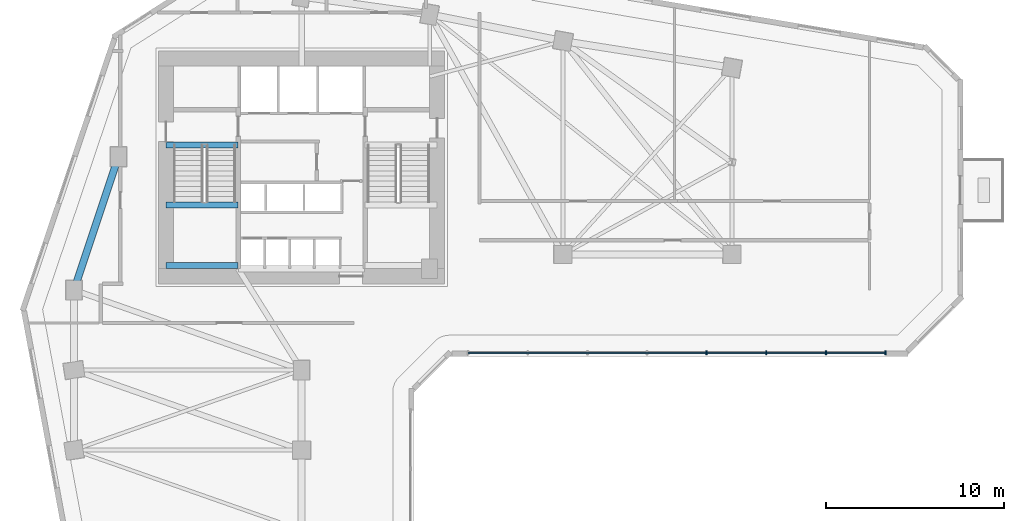
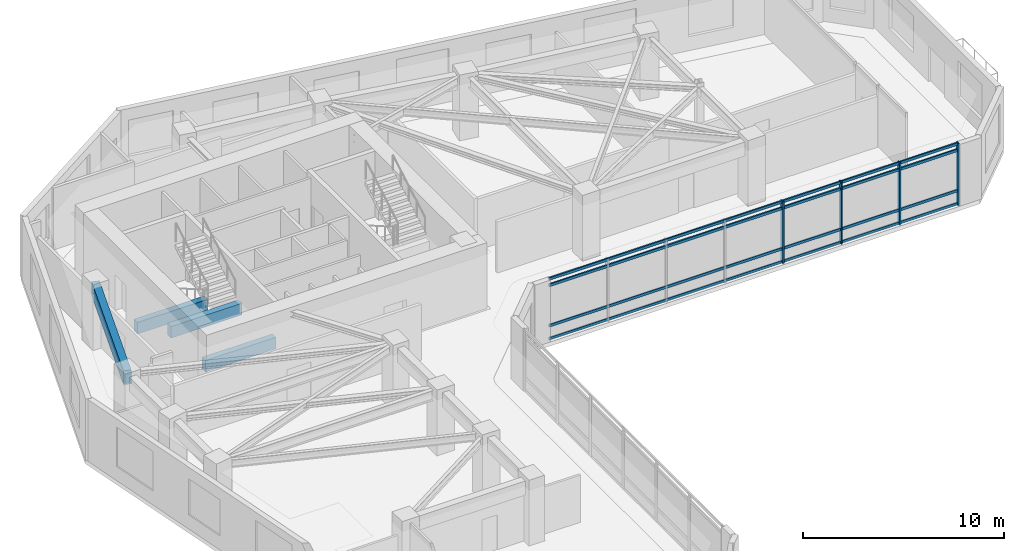
# One storey, part 3 of 11: 8 members, 4 beams, 1 element without a shape of its own.
"""IFC4 building model written with IfcOpenShell, lengths in metres."""

from ifc_helpers import new_model, si_unit, direction, frame, origin, origin_2d, place, context, subcontext, project, spatial, rectangle, extrude, source, transform, mapped, material, material_profile, profile_set, type_object, element, aggregate, save


model = new_model("IFC4")

# Units and contexts
model_context = context("Model", 3, precision=1e-05, world=origin(), true_north=direction((0.0, 1.0)))
body_context = subcontext(model_context, "Body", "Model", "MODEL_VIEW")
ifc_project = project(units=[si_unit("LENGTHUNIT", "METRE"), si_unit("AREAUNIT", "SQUARE_METRE"), si_unit("VOLUMEUNIT", "CUBIC_METRE"), si_unit("PLANEANGLEUNIT", "RADIAN"), si_unit("MASSUNIT", "GRAM", prefix="KILO")], contexts=[model_context])

# Site, building, storey
site_placement = place(None, origin())
site = spatial("IfcSite", under=ifc_project, at=site_placement, CompositionType="ELEMENT")
building_placement = place(site_placement, origin())
building = spatial("IfcBuilding", under=site, at=building_placement, Name="Calvemar Wedge Station Tower", CompositionType="ELEMENT")
storey_placement = place(building_placement, frame((0.0, 0.0, 31.0)))
storey = spatial("IfcBuildingStorey", under=building, at=storey_placement, Name="L07", CompositionType="ELEMENT", Elevation=31.0)

# Beams
ifc_material_1 = material(Name="Concrete C70", Category="concrete")
ifc_material_profile_1 = material_profile(ifc_material_1, rectangle(XDim=0.35009765625, YDim=0.699951171875, at=origin_2d()), Name="RC350x700")
ifc_profile_set_1 = profile_set([ifc_material_profile_1], Name="Concrete C70")
beam_type_1 = type_object("IfcBeamType", Name="BM-LN1-700", PredefinedType="LINTEL", material=ifc_profile_set_1)
shared_shape_1 = source(origin(), body_context, "Body", "SweptSolid", [
    extrude(rectangle(XDim=0.35009765625, YDim=0.699951171875, at=origin_2d()), origin(), (0.0, 0.0, 1.0), 4.054931640625),
])
for number, where, z_axis, x_axis, name in (
    (1, (16.175048828125, 41.14990234375, -0.35009765625), (1.0, 0.0, 0.0), (0.0, 1.0, 0.0), "Storey L07 Stair ST-C1 Landing Trimmer Beam"),
    (2, (16.175048828125, 34.3798828125, 1.449951171875), (1.0, 0.0, 0.0), (0.0, 1.0, 0.0), "Storey L07 Stair ST-C1 Half-Landing Beam 1A"),
    (3, (16.175048828125, 37.780029296875, 1.449951171875), (1.0, 0.0, 0.0), (0.0, 1.0, 0.0), "Storey L07 Stair ST-C1 Half-Landing Beam 1B"),
):
    element("IfcBeam", number, at=place(storey_placement, frame(where, z_axis=z_axis, x_axis=x_axis)), inside=storey, type_object=beam_type_1, Name=name, PredefinedType="LINTEL", context=body_context, shape_type="MappedRepresentation", body=[
        mapped(shared_shape_1, transform((0.0, 0.0, 0.0), scale=1.0)),
    ])
ifc_material_2 = material(Name="Concrete C60", Category="concrete")
ifc_material_profile_2 = material_profile(ifc_material_2, rectangle(XDim=0.39990234375, YDim=0.85009765625, at=origin_2d()), Name="RC400x850")
ifc_profile_set_2 = profile_set([ifc_material_profile_2], Name="Concrete C60")
beam_type_2 = type_object("IfcBeamType", Name="BM-SP1-850", PredefinedType="SPANDREL", material=ifc_profile_set_2)
shared_shape_2 = source(origin(), body_context, "Body", "SweptSolid", [
    extrude(rectangle(XDim=0.39990234375, YDim=0.85009765625, at=origin_2d()), origin(), (0.0, 0.0, 1.0), 7.90576171875),
])
beam_placement = place(storey_placement, frame((11.0, 33.0, 3.324951171875), z_axis=(0.316227766017, 0.948683298051, 0.0), x_axis=(-0.948683298051, 0.316227766017, 0.0)))
element("IfcBeam", 4, at=beam_placement, inside=storey, type_object=beam_type_2, Name="Storey L07 Spandrel T-NW1-T-NW2", PredefinedType="SPANDREL", context=body_context, shape_type="MappedRepresentation", body=[
    mapped(shared_shape_2, transform((0.0, 0.0, 0.0), scale=1.0)),
])

# Curtain wall, members
ifc_material_3 = material(Name="Anodised aluminium 6063-T6", Category="aluminium")
curtain_wall_type = type_object("IfcCurtainWallType", Name="CW1", PredefinedType="NOTDEFINED", material=ifc_material_3)
curtain_wall_placement = place(storey_placement, origin())
curtain_wall = element("IfcCurtainWall", 5, at=curtain_wall_placement, inside=storey, type_object=curtain_wall_type, Name="Storey L07 CW1 Recessed Unitised Curtain Wall 6", PredefinedType="NOTDEFINED")
ifc_material_profile_3 = material_profile(ifc_material_3, rectangle(XDim=0.080078125, YDim=0.219970703125, at=origin_2d()), Name="AL-MUL-80x220")
ifc_profile_set_3 = profile_set([ifc_material_profile_3], Name="Anodised aluminium 6063-T6")
member_type_1 = type_object("IfcMemberType", Name="CW1-MUL", PredefinedType="MULLION", material=ifc_profile_set_3)
shared_shape_3 = source(origin(), body_context, "Body", "SweptSolid", [
    extrude(rectangle(XDim=0.080078125, YDim=0.219970703125, at=origin_2d()), origin(), (0.0, 0.0, 1.0), 3.800048828125),
])
member_1_placement = place(storey_placement, frame((46.57861328125, 29.469970703125, -0.050048828125), z_axis=(0.0, 0.0, 1.0), x_axis=(1.0, 0.0, 0.0)))
member_1 = element("IfcMember", 6, at=member_1_placement, type_object=member_type_1, Name="CW1 mullion 5", PredefinedType="MULLION", context=body_context, shape_type="MappedRepresentation", body=[
    mapped(shared_shape_3, transform((0.0, 0.0, 0.0), scale=1.0)),
])
member_2_placement = place(storey_placement, frame((49.931640625, 29.469970703125, -0.050048828125), z_axis=(0.0, 0.0, 1.0), x_axis=(1.0, 0.0, 0.0)))
member_2 = element("IfcMember", 7, at=member_2_placement, type_object=member_type_1, Name="CW1 mullion 6", PredefinedType="MULLION", context=body_context, shape_type="MappedRepresentation", body=[
    mapped(shared_shape_3, transform((0.0, 0.0, 0.0), scale=1.0)),
])
member_3_placement = place(storey_placement, frame((53.284912109375, 29.469970703125, -0.050048828125), z_axis=(0.0, 0.0, 1.0), x_axis=(1.0, 0.0, 0.0)))
member_3 = element("IfcMember", 8, at=member_3_placement, type_object=member_type_1, Name="CW1 mullion 7", PredefinedType="MULLION", context=body_context, shape_type="MappedRepresentation", body=[
    mapped(shared_shape_3, transform((0.0, 0.0, 0.0), scale=1.0)),
])
member_4_placement = place(storey_placement, frame((56.637939453125, 29.469970703125, -0.050048828125), z_axis=(0.0, 0.0, 1.0), x_axis=(1.0, 0.0, 0.0)))
member_4 = element("IfcMember", 9, at=member_4_placement, type_object=member_type_1, Name="CW1 mullion 8", PredefinedType="MULLION", context=body_context, shape_type="MappedRepresentation", body=[
    mapped(shared_shape_3, transform((0.0, 0.0, 0.0), scale=1.0)),
])
ifc_material_profile_4 = material_profile(ifc_material_3, rectangle(XDim=0.080078125, YDim=0.159912109375, at=origin_2d()), Name="AL-TRN-80x160")
ifc_profile_set_4 = profile_set([ifc_material_profile_4], Name="Anodised aluminium 6063-T6")
member_type_2 = type_object("IfcMemberType", Name="CW1-TRN", PredefinedType="USERDEFINED", material=ifc_profile_set_4)
shared_shape_4 = source(origin(), body_context, "Body", "SweptSolid", [
    extrude(rectangle(XDim=0.080078125, YDim=0.159912109375, at=origin_2d()), origin(), (0.0, 0.0, 1.0), 23.471923828125),
])
member_5_placement = place(storey_placement, frame((33.166015625, 29.469970703125, 0.06005859375), z_axis=(1.0, 0.0, 0.0), x_axis=(0.0, 1.0, 0.0)))
member_5 = element("IfcMember", 10, at=member_5_placement, type_object=member_type_2, Name="CW1 transom 1", ObjectType="TRANSOM", PredefinedType="USERDEFINED", context=body_context, shape_type="MappedRepresentation", body=[
    mapped(shared_shape_4, transform((0.0, 0.0, 0.0), scale=1.0)),
])
member_6_placement = place(storey_placement, frame((33.166015625, 29.469970703125, 0.85009765625), z_axis=(1.0, 0.0, 0.0), x_axis=(0.0, 1.0, 0.0)))
member_6 = element("IfcMember", 11, at=member_6_placement, type_object=member_type_2, Name="CW1 transom 2", ObjectType="TRANSOM", PredefinedType="USERDEFINED", context=body_context, shape_type="MappedRepresentation", body=[
    mapped(shared_shape_4, transform((0.0, 0.0, 0.0), scale=1.0)),
])
member_7_placement = place(storey_placement, frame((33.166015625, 29.469970703125, 3.300048828125), z_axis=(1.0, 0.0, 0.0), x_axis=(0.0, 1.0, 0.0)))
member_7 = element("IfcMember", 12, at=member_7_placement, type_object=member_type_2, Name="CW1 transom 3", ObjectType="TRANSOM", PredefinedType="USERDEFINED", context=body_context, shape_type="MappedRepresentation", body=[
    mapped(shared_shape_4, transform((0.0, 0.0, 0.0), scale=1.0)),
])
member_8_placement = place(storey_placement, frame((33.166015625, 29.469970703125, 3.68994140625), z_axis=(1.0, 0.0, 0.0), x_axis=(0.0, 1.0, 0.0)))
member_8 = element("IfcMember", 13, at=member_8_placement, type_object=member_type_2, Name="CW1 transom 4", ObjectType="TRANSOM", PredefinedType="USERDEFINED", context=body_context, shape_type="MappedRepresentation", body=[
    mapped(shared_shape_4, transform((0.0, 0.0, 0.0), scale=1.0)),
])
aggregate(curtain_wall, [member_1, member_2, member_3, member_4, member_5, member_6, member_7, member_8])

save(model, "model.ifc")
